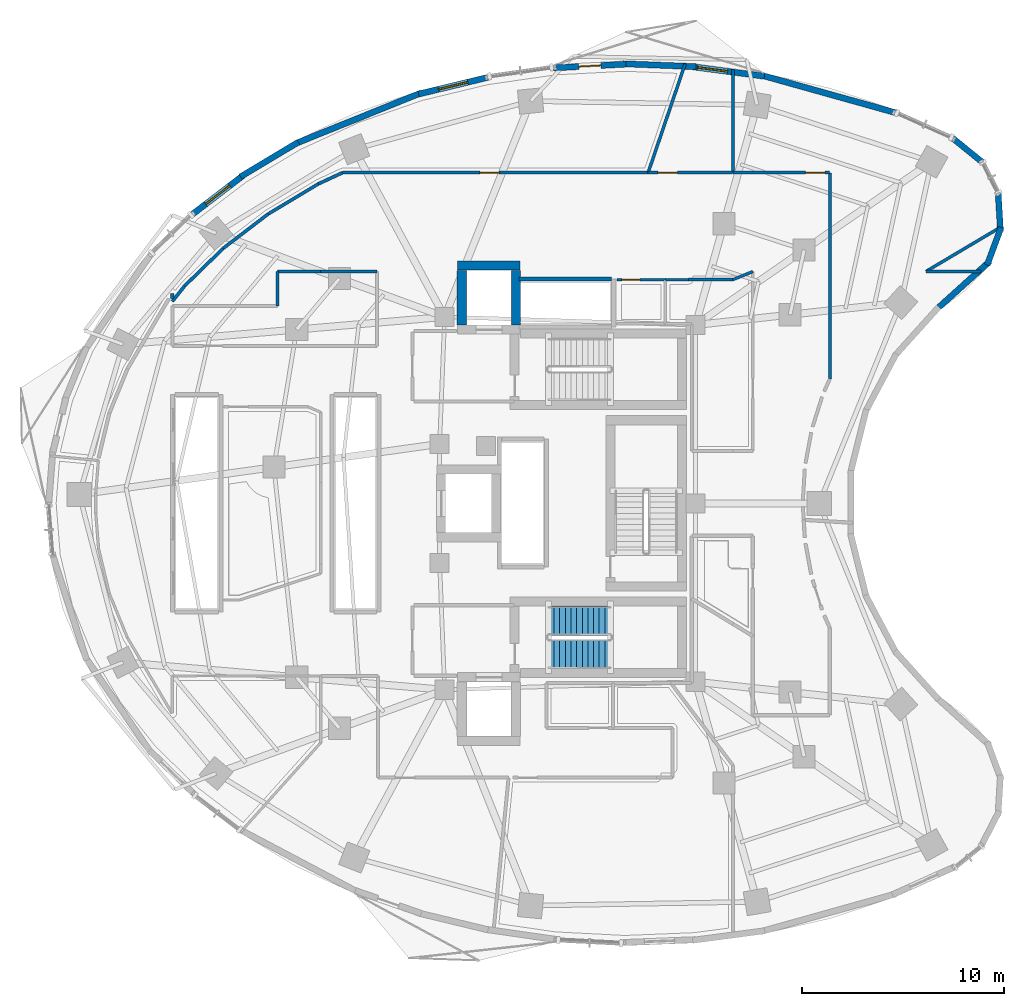
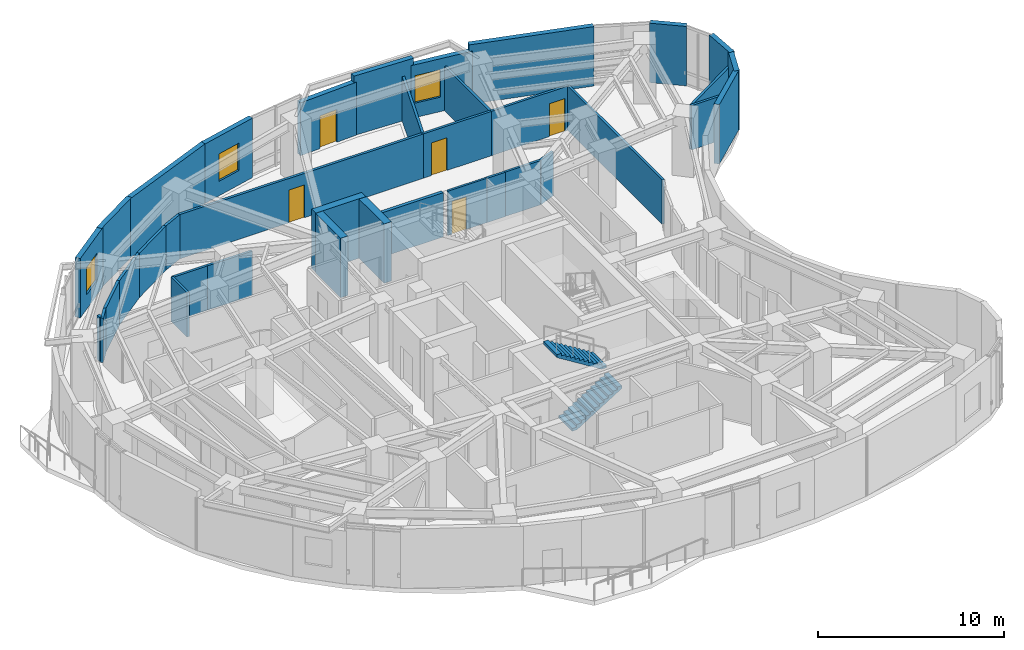
# One storey, part 11 of 15: 37 walls, 5 doors, 3 windows, 2 stair flights, 8 openings, 1 element without a shape of its own.
"""IFC4 building model written with IfcOpenShell, lengths in metres."""

from ifc_helpers import new_model, si_unit, direction, frame, frame_2d, origin, place, context, subcontext, project, spatial, polyline, rectangle, outline, extrude, material, layer, layer_set, type_object, element, fill, aggregate, save


model = new_model("IFC4")

# Units and contexts
model_context = context("Model", 3, precision=1e-05, world=origin(), true_north=direction((0.0, 1.0)))
body_context = subcontext(model_context, "Body", "Model", "MODEL_VIEW")
ifc_project = project(units=[si_unit("LENGTHUNIT", "METRE"), si_unit("AREAUNIT", "SQUARE_METRE"), si_unit("VOLUMEUNIT", "CUBIC_METRE"), si_unit("PLANEANGLEUNIT", "RADIAN"), si_unit("MASSUNIT", "GRAM", prefix="KILO")], contexts=[model_context])

# Site, building, storey
site_placement = place(None, origin())
site = spatial("IfcSite", under=ifc_project, at=site_placement, CompositionType="ELEMENT")
building_placement = place(site_placement, origin())
building = spatial("IfcBuilding", under=site, at=building_placement, Name="Korentha Bioscience Tower", CompositionType="ELEMENT")
storey_placement = place(building_placement, frame((0.0, 0.0, 94.199951171875)))
storey = spatial("IfcBuildingStorey", under=building, at=storey_placement, Name="L21", CompositionType="ELEMENT", Elevation=94.199951171875)

# Wall, opening, door
ifc_material_1 = material(Name="Double-Stud Acoustic Gypsum", Category="gypsum")
ifc_layer_1 = layer(ifc_material_1, 0.14990234375, Name="Double-Stud Acoustic Gypsum")
ifc_layer_set_1 = layer_set([ifc_layer_1], Name="Double-Stud Acoustic Gypsum (IW-L150)")
wall_type_1 = type_object("IfcWallType", Name="Acoustic Laboratory Partition Wall 150", PredefinedType="PARTITIONING", material=ifc_layer_set_1)
wall_1_placement = place(storey_placement, frame((44.199951171875, 43.409912109375, 0.0), z_axis=(0.0, 0.0, 1.0), x_axis=(-1.0, 0.0, 0.0)))
wall_1 = element("IfcWall", 1, at=wall_1_placement, inside=storey, type_object=wall_type_1, Name="L21 Immunology Flow-Cytometry Laboratory 06 Entrance Wall", PredefinedType="PARTITIONING", context=body_context, shape_type="SweptSolid", body=[
    extrude(rectangle(XDim=4.7978515625, YDim=0.14990234375, at=frame_2d((2.39892578125, 0.0))), origin(), (0.0, 0.0, 1.0), 2.91015625),
])
opening_1_placement = place(wall_1_placement, frame((0.239990234375, 0.0, 0.0)))
opening_1 = element("IfcOpeningElement", 2, at=opening_1_placement, cuts=wall_1, Name="Opening ID-10R", PredefinedType="OPENING", context=body_context, shape_type="SweptSolid", body=[
    extrude(rectangle(XDim=0.949951171875, YDim=2.14990234375, at=frame_2d((0.47509765625, 1.074951171875))), frame((0.0, 0.08984375, 0.0), z_axis=(0.0, -1.0, 0.0), x_axis=(1.0, 0.0, 0.0)), (0.0, 0.0, 1.0), 0.1796875),
])
ifc_material_2 = material(Name="Phenolic Laminate Timber Core", Category="wood")
door_type_1 = type_object("IfcDoorType", Name="Laboratory Single Leaf Door 950x2150 Right", OperationType="SINGLE_SWING_RIGHT", PredefinedType="DOOR", material=ifc_material_2)
door_1_placement = place(opening_1_placement, origin())
door_1 = element("IfcDoor", 3, at=door_1_placement, inside=storey, type_object=door_type_1, Name="L21 Immunology Flow-Cytometry Laboratory 06 Door", OperationType="SINGLE_SWING_RIGHT", OverallHeight=2.14990234375, OverallWidth=0.949951171875, PredefinedType="DOOR", context=body_context, shape_type="SweptSolid", body=[
    extrude(rectangle(XDim=0.949951171875, YDim=2.14990234375, at=frame_2d((0.47509765625, 1.074951171875))), frame((0.0, 0.02490234375, 0.0), z_axis=(0.0, -1.0, 0.0), x_axis=(1.0, 0.0, 0.0)), (0.0, 0.0, 1.0), 0.050048828125),
])
fill(opening_1, door_1)

wall_2_placement = place(storey_placement, frame((39.39208984375, 43.409912109375, 0.0), z_axis=(0.0, 0.0, 1.0), x_axis=(-1.0, 0.0, 0.0)))
wall_2 = element("IfcWall", 4, at=wall_2_placement, inside=storey, type_object=wall_type_1, Name="L21 Lyophilization Freeze-Drying Room 08 Entrance Wall", PredefinedType="PARTITIONING", context=body_context, shape_type="SweptSolid", body=[
    extrude(rectangle(XDim=4.19580078125, YDim=0.14990234375, at=frame_2d((2.097900390625, 0.0))), origin(), (0.0, 0.0, 1.0), 2.91015625),
])
opening_2_placement = place(wall_2_placement, frame((2.747802734375, 0.0, 0.0)))
opening_2 = element("IfcOpeningElement", 5, at=opening_2_placement, cuts=wall_2, Name="Opening ID-10R", PredefinedType="OPENING", context=body_context, shape_type="SweptSolid", body=[
    extrude(rectangle(XDim=0.949951171875, YDim=2.14990234375, at=frame_2d((0.47509765625, 1.074951171875))), frame((0.0, 0.08984375, 0.0), z_axis=(0.0, -1.0, 0.0), x_axis=(1.0, 0.0, 0.0)), (0.0, 0.0, 1.0), 0.1796875),
])
door_2_placement = place(opening_2_placement, origin())
door_2 = element("IfcDoor", 6, at=door_2_placement, inside=storey, type_object=door_type_1, Name="L21 Lyophilization Freeze-Drying Room 08 Door", OperationType="SINGLE_SWING_RIGHT", OverallHeight=2.14990234375, OverallWidth=0.949951171875, PredefinedType="DOOR", context=body_context, shape_type="SweptSolid", body=[
    extrude(rectangle(XDim=0.949951171875, YDim=2.14990234375, at=frame_2d((0.47509765625, 1.074951171875))), frame((0.0, 0.02490234375, 0.0), z_axis=(0.0, -1.0, 0.0), x_axis=(1.0, 0.0, 0.0)), (0.0, 0.0, 1.0), 0.050048828125),
])
fill(opening_2, door_2)

# Walls
wall_3_placement = place(storey_placement, frame((52.748779296875, 40.74267578125, 0.0), z_axis=(0.0, 0.0, 1.0), x_axis=(-0.85982416837, -0.510590246173, 0.0)))
element("IfcWall", 7, at=wall_3_placement, inside=storey, type_object=wall_type_1, Name="L21 Interior Partition 054", PredefinedType="PARTITIONING", context=body_context, shape_type="SweptSolid", body=[
    extrude(rectangle(XDim=4.3818359375, YDim=0.14990234375, at=frame_2d((2.19091796875, 0.0))), origin(), (0.0, 0.0, 1.0), 2.91015625),
])
wall_4_placement = place(storey_placement, frame((48.983154296875, 38.498046875, 0.0), z_axis=(0.0, 0.0, 1.0), x_axis=(1.0, 0.0, 0.0)))
element("IfcWall", 8, at=wall_4_placement, inside=storey, type_object=wall_type_1, Name="L21 Interior Partition 055", PredefinedType="PARTITIONING", context=body_context, shape_type="SweptSolid", body=[
    extrude(rectangle(XDim=2.718505859375, YDim=0.14990234375, at=frame_2d((1.359375, 0.0))), origin(), (0.0, 0.0, 1.0), 2.91015625),
])
wall_5_placement = place(storey_placement, frame((44.2099609375, 33.175048828125, 0.0), z_axis=(0.0, 0.0, 1.0), x_axis=(0.0, 1.0, 0.0)))
element("IfcWall", 9, at=wall_5_placement, inside=storey, type_object=wall_type_1, Name="L21 Interior Partition 061", PredefinedType="PARTITIONING", context=body_context, shape_type="SweptSolid", body=[
    extrude(rectangle(XDim=10.224853515625, YDim=0.14990234375, at=frame_2d((5.1123046875, 0.0))), origin(), (0.0, 0.0, 1.0), 2.91015625),
])
wall_6_placement = place(storey_placement, frame((39.402099609375, 43.409912109375, 0.0), z_axis=(0.0, 0.0, 1.0), x_axis=(0.0, 1.0, 0.0)))
element("IfcWall", 10, at=wall_6_placement, inside=storey, type_object=wall_type_1, Name="L21 Interior Partition 062", PredefinedType="PARTITIONING", context=body_context, shape_type="SweptSolid", body=[
    extrude(rectangle(XDim=5.12548828125, YDim=0.14990234375, at=frame_2d((2.562744140625, 0.0))), origin(), (0.0, 0.0, 1.0), 2.91015625),
])
wall_7_placement = place(storey_placement, frame((35.1962890625, 43.409912109375, 0.0), z_axis=(0.0, 0.0, 1.0), x_axis=(0.322244983046, 0.946656310866, 0.0)))
element("IfcWall", 11, at=wall_7_placement, inside=storey, type_object=wall_type_1, Name="L21 Interior Partition 071", PredefinedType="PARTITIONING", context=body_context, shape_type="SweptSolid", body=[
    extrude(rectangle(XDim=5.6904296875, YDim=0.14990234375, at=frame_2d((2.84521484375, 0.0))), origin(), (0.0, 0.0, 1.0), 2.91015625),
])
wall_8_placement = place(storey_placement, frame((18.9521484375, 38.498046875, 0.0), z_axis=(0.0, 0.0, 1.0), x_axis=(1.0, 0.0, 0.0)))
element("IfcWall", 12, at=wall_8_placement, inside=storey, type_object=wall_type_1, Name="L21 Interior Partition 081", PredefinedType="PARTITIONING", context=body_context, shape_type="SweptSolid", body=[
    extrude(rectangle(XDim=2.787841796875, YDim=0.14990234375, at=frame_2d((1.39404296875, 0.0))), origin(), (0.0, 0.0, 1.0), 2.91015625),
])
wall_9_placement = place(storey_placement, frame((16.81005859375, 36.800048828125, 0.0), z_axis=(0.0, 0.0, 1.0), x_axis=(0.0, 1.0, 0.0)))
element("IfcWall", 13, at=wall_9_placement, inside=storey, type_object=wall_type_1, Name="L21 Interior Partition 085", PredefinedType="PARTITIONING", context=body_context, shape_type="SweptSolid", body=[
    extrude(rectangle(XDim=1.697998046875, YDim=0.14990234375, at=frame_2d((0.84912109375, 0.0))), origin(), (0.0, 0.0, 1.0), 2.91015625),
])
wall_10_placement = place(storey_placement, frame((16.81005859375, 38.498046875, 0.0), z_axis=(0.0, 0.0, 1.0), x_axis=(1.0, 0.0, 0.0)))
element("IfcWall", 14, at=wall_10_placement, inside=storey, type_object=wall_type_1, Name="L21 Interior Partition 086", PredefinedType="PARTITIONING", context=body_context, shape_type="SweptSolid", body=[
    extrude(rectangle(XDim=2.137939453125, YDim=0.14990234375, at=frame_2d((1.06884765625, 0.0))), origin(), (0.0, 0.0, 1.0), 2.91015625),
])
ifc_material_3 = material(Name="Insulated Aluminium Honeycomb Panel", Category="aluminium")
ifc_layer_2 = layer(ifc_material_3, 0.139892578125, Name="Insulated Aluminium Honeycomb Panel")
ifc_layer_set_2 = layer_set([ifc_layer_2], Name="Insulated Aluminium Honeycomb Panel (IW-F60)")
wall_type_2 = type_object("IfcWallType", Name="Cleanroom Flush Metal Panel Partition 140", PredefinedType="PARTITIONING", material=ifc_layer_set_2)
wall_11_placement = place(storey_placement, frame((39.39794921875, 38.10009765625, 0.0), z_axis=(0.0, 0.0, 1.0), x_axis=(0.928098124006, 0.372335698284, 0.0)))
element("IfcWall", 15, at=wall_11_placement, inside=storey, type_object=wall_type_2, Name="L21 Interior Partition 063", PredefinedType="PARTITIONING", context=body_context, shape_type="SweptSolid", body=[
    extrude(rectangle(XDim=1.06884765625, YDim=0.139892578125, at=frame_2d((0.534423828125, 0.0))), origin(), (0.0, 0.0, 1.0), 2.91015625),
])
wall_12_placement = place(storey_placement, frame((36.06005859375, 38.090087890625, 0.0), z_axis=(0.0, 0.0, 1.0), x_axis=(1.0, 0.0, 0.0)))
element("IfcWall", 16, at=wall_12_placement, inside=storey, type_object=wall_type_2, Name="L21 Interior Partition 068", PredefinedType="PARTITIONING", context=body_context, shape_type="SweptSolid", body=[
    extrude(rectangle(XDim=1.139892578125, YDim=0.139892578125, at=frame_2d((0.56982421875, 0.0))), origin(), (0.0, 0.0, 1.0), 2.91015625),
])
wall_13_placement = place(storey_placement, frame((37.2099609375, 38.10009765625, 0.0), z_axis=(0.0, 0.0, 1.0), x_axis=(1.0, 0.0, 0.0)))
element("IfcWall", 17, at=wall_13_placement, inside=storey, type_object=wall_type_2, Name="L21 Interior Partition 070", PredefinedType="PARTITIONING", context=body_context, shape_type="SweptSolid", body=[
    extrude(rectangle(XDim=2.18798828125, YDim=0.139892578125, at=frame_2d((1.093994140625, 0.0))), origin(), (0.0, 0.0, 1.0), 2.91015625),
])

# Wall, opening, door
ifc_material_4 = material(Name="Gypsum-Clad Steel Stud", Category="steel")
ifc_layer_3 = layer(ifc_material_4, 0.159912109375, Name="Gypsum-Clad Steel Stud")
ifc_layer_set_3 = layer_set([ifc_layer_3], Name="Gypsum-Clad Steel Stud (IW-C160)")
wall_type_3 = type_object("IfcWallType", Name="Fire-Rated Corridor Partition Wall 160", PredefinedType="PARTITIONING", material=ifc_layer_set_3)
wall_14_placement = place(storey_placement, frame((35.186279296875, 43.409912109375, 0.0), z_axis=(0.0, 0.0, 1.0), x_axis=(-1.0, 0.0, 0.0)))
wall_14 = element("IfcWall", 18, at=wall_14_placement, inside=storey, type_object=wall_type_3, Name="L21 Cold-Chain Stability Chamber 09 Entrance Wall", PredefinedType="PARTITIONING", context=body_context, shape_type="SweptSolid", body=[
    extrude(rectangle(XDim=15.143798828125, YDim=0.159912109375, at=frame_2d((7.57177734375, 0.0))), origin(), (0.0, 0.0, 1.0), 2.91015625),
])
opening_3_placement = place(wall_14_placement, frame((7.38671875, 0.0, 0.0)))
opening_3 = element("IfcOpeningElement", 19, at=opening_3_placement, cuts=wall_14, Name="Opening ID-10L", PredefinedType="OPENING", context=body_context, shape_type="SweptSolid", body=[
    extrude(rectangle(XDim=0.949951171875, YDim=2.14990234375, at=frame_2d((0.47509765625, 1.074951171875))), frame((0.0, 0.0947265625, 0.0), z_axis=(0.0, -1.0, 0.0), x_axis=(1.0, 0.0, 0.0)), (0.0, 0.0, 1.0), 0.189697265625),
])
door_type_2 = type_object("IfcDoorType", Name="Laboratory Single Leaf Door 950x2150 Left", OperationType="SINGLE_SWING_LEFT", PredefinedType="DOOR", material=ifc_material_2)
door_3_placement = place(opening_3_placement, origin())
door_3 = element("IfcDoor", 20, at=door_3_placement, inside=storey, type_object=door_type_2, Name="L21 Cold-Chain Stability Chamber 09 Door", OperationType="SINGLE_SWING_LEFT", OverallHeight=2.14990234375, OverallWidth=0.949951171875, PredefinedType="DOOR", context=body_context, shape_type="SweptSolid", body=[
    extrude(rectangle(XDim=0.949951171875, YDim=2.14990234375, at=frame_2d((0.47509765625, 1.074951171875))), frame((0.0, 0.02490234375, 0.0), z_axis=(0.0, -1.0, 0.0), x_axis=(1.0, 0.0, 0.0)), (0.0, 0.0, 1.0), 0.050048828125),
])
fill(opening_3, door_3)

# Walls
wall_15_placement = place(storey_placement, frame((20.038330078125, 43.4091796875, 0.0), z_axis=(0.0, 0.0, 1.0), x_axis=(-0.907124862852, -0.420861596248, 0.0)))
element("IfcWall", 21, at=wall_15_placement, inside=storey, type_object=wall_type_3, Name="L21 Interior Partition 072", PredefinedType="PARTITIONING", context=body_context, shape_type="SweptSolid", body=[
    extrude(rectangle(XDim=1.321533203125, YDim=0.159912109375, at=frame_2d((0.66064453125, 0.0))), origin(), (0.0, 0.0, 1.0), 2.91015625),
])
wall_16_placement = place(storey_placement, frame((18.838623046875, 42.8525390625, 0.0), z_axis=(0.0, 0.0, 1.0), x_axis=(-0.857603806023, -0.514310909757, 0.0)))
element("IfcWall", 22, at=wall_16_placement, inside=storey, type_object=wall_type_3, Name="L21 Interior Partition 073", PredefinedType="PARTITIONING", context=body_context, shape_type="SweptSolid", body=[
    extrude(rectangle(XDim=2.91357421875, YDim=0.159912109375, at=frame_2d((1.456787109375, 0.0))), origin(), (0.0, 0.0, 1.0), 2.91015625),
])
wall_17_placement = place(storey_placement, frame((16.3388671875, 41.353515625, 0.0), z_axis=(0.0, 0.0, 1.0), x_axis=(-0.794513779695, -0.607246122981, 0.0)))
element("IfcWall", 23, at=wall_17_placement, inside=storey, type_object=wall_type_3, Name="L21 Interior Partition 074", PredefinedType="PARTITIONING", context=body_context, shape_type="SweptSolid", body=[
    extrude(rectangle(XDim=2.799072265625, YDim=0.159912109375, at=frame_2d((1.3994140625, 0.0))), origin(), (0.0, 0.0, 1.0), 2.91015625),
])
wall_18_placement = place(storey_placement, frame((14.1142578125, 39.65283203125, 0.0), z_axis=(0.0, 0.0, 1.0), x_axis=(-0.716161838398, -0.697934252794, 0.0)))
element("IfcWall", 24, at=wall_18_placement, inside=storey, type_object=wall_type_3, Name="L21 Interior Partition 075", PredefinedType="PARTITIONING", context=body_context, shape_type="SweptSolid", body=[
    extrude(rectangle(XDim=2.6787109375, YDim=0.159912109375, at=frame_2d((1.33935546875, 0.0))), origin(), (0.0, 0.0, 1.0), 2.91015625),
])
wall_19_placement = place(storey_placement, frame((12.195068359375, 37.781982421875, 0.0), z_axis=(0.0, 0.0, 1.0), x_axis=(-0.621081637991, -0.783745876513, 0.0)))
element("IfcWall", 25, at=wall_19_placement, inside=storey, type_object=wall_type_3, Name="L21 Interior Partition 076", PredefinedType="PARTITIONING", context=body_context, shape_type="SweptSolid", body=[
    extrude(rectangle(XDim=0.97412109375, YDim=0.159912109375, at=frame_2d((0.487060546875, 0.0))), origin(), (0.0, 0.0, 1.0), 2.91015625),
])
wall_20_placement = place(storey_placement, frame((11.590087890625, 37.152099609375, 0.0), z_axis=(0.0, 0.0, 1.0), x_axis=(0.0, 1.0, 0.0)))
element("IfcWall", 26, at=wall_20_placement, inside=storey, type_object=wall_type_3, Name="L21 Interior Partition 077", PredefinedType="PARTITIONING", context=body_context, shape_type="SweptSolid", body=[
    extrude(rectangle(XDim=0.255859375, YDim=0.159912109375, at=frame_2d((0.1279296875, 0.0))), origin(), (0.0, 0.0, 1.0), 2.91015625),
])

# Wall, opening, window
ifc_material_5 = material(Name="Honed Limestone Precast Concrete C40", Category="masonry")
ifc_layer_4 = layer(ifc_material_5, 0.300048828125, Name="Honed Limestone Precast Concrete C40")
ifc_layer_set_4 = layer_set([ifc_layer_4], Name="Honed Limestone Precast Concrete C40 (EW-ST300)")
wall_type_4 = type_object("IfcWallType", Name="Honed Limestone Cavity Spandrel Wall 300", PredefinedType="STANDARD", material=ifc_layer_set_4)
wall_21_placement = place(storey_placement, frame((40.964111328125, 48.18994140625, 0.0), z_axis=(0.0, 0.0, 1.0), x_axis=(-0.991369257822, 0.131099178664, 0.0)))
wall_21 = element("IfcWall", 27, at=wall_21_placement, inside=storey, type_object=wall_type_4, Name="L21 Honed Limestone Spandrel Wall 04", PredefinedType="STANDARD", context=body_context, shape_type="SweptSolid", body=[
    extrude(rectangle(XDim=3.575439453125, YDim=0.300048828125, at=frame_2d((1.78759765625, 0.0))), origin(), (0.0, 0.0, 1.0), 3.469970703125),
])
opening_4_placement = place(wall_21_placement, frame((1.84814453125, 0.0, 0.949951171875)))
opening_4 = element("IfcOpeningElement", 28, at=opening_4_placement, cuts=wall_21, Name="Opening WN-02", PredefinedType="OPENING", context=body_context, shape_type="SweptSolid", body=[
    extrude(rectangle(XDim=1.5, YDim=1.800048828125, at=frame_2d((0.75, 0.89990234375))), frame((0.0, 0.1650390625, 0.0), z_axis=(0.0, -1.0, 0.0), x_axis=(1.0, 0.0, 0.0)), (0.0, 0.0, 1.0), 0.329833984375),
])
ifc_material_6 = material(Name="Thermally Broken Aluminium Triple Glazing", Category="aluminium")
window_type = type_object("IfcWindowType", Name="Acoustic Operable Office Window 1500x1800", PartitioningType="DOUBLE_PANEL_VERTICAL", PredefinedType="WINDOW", material=ifc_material_6)
window_1_placement = place(opening_4_placement, origin())
window_1 = element("IfcWindow", 29, at=window_1_placement, inside=storey, type_object=window_type, Name="L21 Facade Window 04", OverallHeight=1.800048828125, OverallWidth=1.5, PartitioningType="DOUBLE_PANEL_VERTICAL", PredefinedType="WINDOW", context=body_context, shape_type="SweptSolid", body=[
    extrude(rectangle(XDim=1.5, YDim=1.800048828125, at=frame_2d((0.75, 0.89990234375))), frame((0.0, 0.030029296875, 0.0), z_axis=(0.0, -1.0, 0.0), x_axis=(1.0, 0.0, 0.0)), (0.0, 0.0, 1.0), 0.06005859375),
])
fill(opening_4, window_1)

# Wall, opening, door
wall_22_placement = place(storey_placement, frame((34.095703125, 48.79052734375, 0.0), z_axis=(0.0, 0.0, 1.0), x_axis=(-0.998676861232, -0.051424963197, 0.0)))
wall_22 = element("IfcWall", 30, at=wall_22_placement, inside=storey, type_object=wall_type_4, Name="L21 Balcony Threshold Wall 01", PredefinedType="STANDARD", context=body_context, shape_type="SweptSolid", body=[
    extrude(rectangle(XDim=3.59375, YDim=0.300048828125, at=frame_2d((1.796875, 0.0))), origin(), (0.0, 0.0, 1.0), 3.469970703125),
])
opening_5_placement = place(wall_22_placement, frame((1.246826171875, 0.0, 0.0)))
opening_5 = element("IfcOpeningElement", 31, at=opening_5_placement, cuts=wall_22, Name="Opening BD-11L", PredefinedType="OPENING", context=body_context, shape_type="SweptSolid", body=[
    extrude(rectangle(XDim=1.10009765625, YDim=2.14990234375, at=frame_2d((0.550048828125, 1.074951171875))), frame((0.0, 0.1650390625, 0.0), z_axis=(0.0, -1.0, 0.0), x_axis=(1.0, 0.0, 0.0)), (0.0, 0.0, 1.0), 0.329833984375),
])
ifc_material_7 = material(Name="Thermally Broken Glazed Aluminium", Category="aluminium")
door_type_3 = type_object("IfcDoorType", Name="Balcony Terrace Glazed Door 1100x2150 Left", OperationType="SINGLE_SWING_LEFT", PredefinedType="DOOR", material=ifc_material_7)
door_4_placement = place(opening_5_placement, origin())
door_4 = element("IfcDoor", 32, at=door_4_placement, inside=storey, type_object=door_type_3, Name="L21 Balcony Access Door 01", OperationType="SINGLE_SWING_LEFT", OverallHeight=2.14990234375, OverallWidth=1.10009765625, PredefinedType="DOOR", context=body_context, shape_type="SweptSolid", body=[
    extrude(rectangle(XDim=1.10009765625, YDim=2.14990234375, at=frame_2d((0.550048828125, 1.074951171875))), frame((0.0, 0.02490234375, 0.0), z_axis=(0.0, -1.0, 0.0), x_axis=(1.0, 0.0, 0.0)), (0.0, 0.0, 1.0), 0.050048828125),
])
fill(opening_5, door_4)

# Wall, opening, window
wall_23_placement = place(storey_placement, frame((27.23828125, 48.1337890625, 0.0), z_axis=(0.0, 0.0, 1.0), x_axis=(-0.972049000874, -0.234778065203, 0.0)))
wall_23 = element("IfcWall", 33, at=wall_23_placement, inside=storey, type_object=wall_type_4, Name="L21 Honed Limestone Spandrel Wall 08", PredefinedType="STANDARD", context=body_context, shape_type="SweptSolid", body=[
    extrude(rectangle(XDim=3.5283203125, YDim=0.300048828125, at=frame_2d((1.76416015625, 0.0))), origin(), (0.0, 0.0, 1.0), 3.900146484375),
])
opening_6_placement = place(wall_23_placement, frame((1.014404296875, 0.0, 0.949951171875)))
opening_6 = element("IfcOpeningElement", 34, at=opening_6_placement, cuts=wall_23, Name="Opening WN-02", PredefinedType="OPENING", context=body_context, shape_type="SweptSolid", body=[
    extrude(rectangle(XDim=1.5, YDim=1.800048828125, at=frame_2d((0.75, 0.89990234375))), frame((0.0, 0.1650390625, 0.0), z_axis=(0.0, -1.0, 0.0), x_axis=(1.0, 0.0, 0.0)), (0.0, 0.0, 1.0), 0.329833984375),
])
window_2_placement = place(opening_6_placement, origin())
window_2 = element("IfcWindow", 35, at=window_2_placement, inside=storey, type_object=window_type, Name="L21 Facade Window 08", OverallHeight=1.800048828125, OverallWidth=1.5, PartitioningType="DOUBLE_PANEL_VERTICAL", PredefinedType="WINDOW", context=body_context, shape_type="SweptSolid", body=[
    extrude(rectangle(XDim=1.5, YDim=1.800048828125, at=frame_2d((0.75, 0.89990234375))), frame((0.0, 0.030029296875, 0.0), z_axis=(0.0, -1.0, 0.0), x_axis=(1.0, 0.0, 0.0)), (0.0, 0.0, 1.0), 0.06005859375),
])
fill(opening_6, window_2)

wall_24_placement = place(storey_placement, frame((15.1171875, 43.276611328125, 0.0), z_axis=(0.0, 0.0, 1.0), x_axis=(-0.794524406211, -0.607232219119, 0.0)))
wall_24 = element("IfcWall", 36, at=wall_24_placement, inside=storey, type_object=wall_type_4, Name="L21 Honed Limestone Spandrel Wall 12", PredefinedType="STANDARD", context=body_context, shape_type="SweptSolid", body=[
    extrude(rectangle(XDim=3.202880859375, YDim=0.300048828125, at=frame_2d((1.6015625, 0.0))), origin(), (0.0, 0.0, 1.0), 3.900146484375),
])
opening_7_placement = place(wall_24_placement, frame((0.851318359375, 0.0, 0.949951171875)))
opening_7 = element("IfcOpeningElement", 37, at=opening_7_placement, cuts=wall_24, Name="Opening WN-02", PredefinedType="OPENING", context=body_context, shape_type="SweptSolid", body=[
    extrude(rectangle(XDim=1.5, YDim=1.800048828125, at=frame_2d((0.75, 0.89990234375))), frame((0.0, 0.1650390625, 0.0), z_axis=(0.0, -1.0, 0.0), x_axis=(1.0, 0.0, 0.0)), (0.0, 0.0, 1.0), 0.329833984375),
])
window_3_placement = place(opening_7_placement, origin())
window_3 = element("IfcWindow", 38, at=window_3_placement, inside=storey, type_object=window_type, Name="L21 Facade Window 12", OverallHeight=1.800048828125, OverallWidth=1.5, PartitioningType="DOUBLE_PANEL_VERTICAL", PredefinedType="WINDOW", context=body_context, shape_type="SweptSolid", body=[
    extrude(rectangle(XDim=1.5, YDim=1.800048828125, at=frame_2d((0.75, 0.89990234375))), frame((0.0, 0.030029296875, 0.0), z_axis=(0.0, -1.0, 0.0), x_axis=(1.0, 0.0, 0.0)), (0.0, 0.0, 1.0), 0.06005859375),
])
fill(opening_7, window_3)

# Walls
wall_25_placement = place(storey_placement, frame((47.47900390625, 46.380126953125, 0.0), z_axis=(0.0, 0.0, 1.0), x_axis=(-0.963116215402, 0.269085777459, 0.0)))
element("IfcWall", 39, at=wall_25_placement, inside=storey, type_object=wall_type_4, Name="L21 Limestone Perimeter Closure Wall 02", PredefinedType="STANDARD", context=body_context, shape_type="SweptSolid", body=[
    extrude(rectangle(XDim=6.923583984375, YDim=0.300048828125, at=frame_2d((3.4619140625, 0.0))), origin(), (0.0, 0.0, 1.0), 3.900146484375),
])
wall_26_placement = place(storey_placement, frame((37.574462890625, 48.666259765625, 0.0), z_axis=(0.0, 0.0, 1.0), x_axis=(-0.999212076676, 0.039689114679, 0.0)))
element("IfcWall", 40, at=wall_26_placement, inside=storey, type_object=wall_type_4, Name="L21 Limestone Perimeter Closure Wall 05", PredefinedType="STANDARD", context=body_context, shape_type="SweptSolid", body=[
    extrude(rectangle(XDim=3.635498046875, YDim=0.300048828125, at=frame_2d((1.81787109375, 0.0))), origin(), (0.0, 0.0, 1.0), 3.900146484375),
])
wall_27_placement = place(storey_placement, frame((23.955810546875, 47.375, 0.0), z_axis=(0.0, 0.0, 1.0), x_axis=(-0.927423312416, -0.374013368194, 0.0)))
element("IfcWall", 41, at=wall_27_placement, inside=storey, type_object=wall_type_4, Name="L21 Limestone Perimeter Closure Wall 09", PredefinedType="STANDARD", context=body_context, shape_type="SweptSolid", body=[
    extrude(rectangle(XDim=6.76904296875, YDim=0.300048828125, at=frame_2d((3.384521484375, 0.0))), origin(), (0.0, 0.0, 1.0), 3.900146484375),
])
wall_28_placement = place(storey_placement, frame((17.84033203125, 44.92431640625, 0.0), z_axis=(0.0, 0.0, 1.0), x_axis=(-0.857602536704, -0.514313026316, 0.0)))
element("IfcWall", 42, at=wall_28_placement, inside=storey, type_object=wall_type_4, Name="L21 Limestone Perimeter Closure Wall 11", PredefinedType="STANDARD", context=body_context, shape_type="SweptSolid", body=[
    extrude(rectangle(XDim=3.34033203125, YDim=0.300048828125, at=frame_2d((1.670166015625, 0.0))), origin(), (0.0, 0.0, 1.0), 3.900146484375),
])
wall_29_placement = place(storey_placement, frame((49.51318359375, 36.6357421875, 0.0), z_axis=(0.0, 0.0, 1.0), x_axis=(0.74255963233, 0.669779958221, 0.0)))
element("IfcWall", 43, at=wall_29_placement, inside=storey, type_object=wall_type_4, Name="L21 Limestone Perimeter Closure Wall 57", PredefinedType="STANDARD", context=body_context, shape_type="SweptSolid", body=[
    extrude(rectangle(XDim=3.5390625, YDim=0.300048828125, at=frame_2d((1.76953125, 0.0))), origin(), (0.0, 0.0, 1.0), 3.900146484375),
])
wall_30_placement = place(storey_placement, frame((52.016357421875, 38.822265625, 0.0), z_axis=(0.0, 0.0, 1.0), x_axis=(0.347370087337, 0.937728117539, 0.0)))
element("IfcWall", 44, at=wall_30_placement, inside=storey, type_object=wall_type_4, Name="L21 Limestone Perimeter Closure Wall 59", PredefinedType="STANDARD", context=body_context, shape_type="SweptSolid", body=[
    extrude(rectangle(XDim=1.997314453125, YDim=0.300048828125, at=frame_2d((0.99853515625, 0.0))), origin(), (0.0, 0.0, 1.0), 3.900146484375),
])
for number, where, z_axis, x_axis, name in (
    (45, (52.678955078125, 40.4833984375, 0.0), (0.0, 0.0, 1.0), (-0.060255200356, 0.998183004679, 0.0), "L21 Limestone Perimeter Closure Wall 60"),
    (46, (51.83642578125, 43.880615234375, 0.0), (0.0, 0.0, 1.0), (-0.777338789647, 0.629082193445, 0.0), "L21 Limestone Perimeter Closure Wall 62"),
):
    element("IfcWall", number, at=place(storey_placement, frame(where, z_axis=z_axis, x_axis=x_axis)), inside=storey, type_object=wall_type_4, Name=name, PredefinedType="STANDARD", context=body_context, shape_type="SweptSolid", body=[
        extrude(rectangle(XDim=1.99755859375, YDim=0.300048828125, at=frame_2d((0.998779296875, 0.0))), origin(), (0.0, 0.0, 1.0), 3.900146484375),
    ])
ifc_material_8 = material(Name="Autoclaved Aerated Concrete Block C25", Category="concrete")
ifc_layer_5 = layer(ifc_material_8, 0.199951171875, Name="Autoclaved Aerated Concrete Block C25")
ifc_layer_set_5 = layer_set([ifc_layer_5], Name="Autoclaved Aerated Concrete Block C25 (IW-S200)")
wall_type_5 = type_object("IfcWallType", Name="Lift and Riser Shaft Enclosure Wall 200", PredefinedType="PARTITIONING", material=ifc_layer_set_5)
wall_31_placement = place(storey_placement, frame((28.800048828125, 38.139892578125, 0.0), z_axis=(0.0, 0.0, 1.0), x_axis=(1.0, 0.0, 0.0)))
element("IfcWall", 47, at=wall_31_placement, inside=storey, type_object=wall_type_5, Name="L21 Lift Bank OBS Shaft Wall +Y", PredefinedType="PARTITIONING", context=body_context, shape_type="SweptSolid", body=[
    extrude(rectangle(XDim=4.570068359375, YDim=0.199951171875, at=frame_2d((2.28515625, 0.0))), origin(), (0.0, 0.0, 1.0), 2.91015625),
])
ifc_material_9 = material(Name="Concrete C80", Category="concrete")
ifc_layer_6 = layer(ifc_material_9, 0.449951171875, Name="Concrete C80")
ifc_layer_set_6 = layer_set([ifc_layer_6], Name="Concrete C80 (CW-C80)")
wall_type_6 = type_object("IfcWallType", Name="Lower Core Shear Wall 450", PredefinedType="SHEAR", material=ifc_layer_set_6)
wall_32_placement = place(storey_placement, frame((25.75, 38.800048828125, 0.0), z_axis=(0.0, 0.0, 1.0), x_axis=(1.0, 0.0, 0.0)))
element("IfcWall", 48, at=wall_32_placement, inside=storey, type_object=wall_type_6, Name="L21 Core Shear Wall FFL2-N", PredefinedType="SHEAR", context=body_context, shape_type="SweptSolid", body=[
    extrude(rectangle(XDim=3.10009765625, YDim=0.449951171875, at=frame_2d((1.550048828125, 0.0))), origin(), (0.0, 0.0, 1.0), 3.900146484375),
])
for number, where, z_axis, x_axis, name in (
    (49, (25.949951171875, 35.860107421875, 0.0), (0.0, 0.0, 1.0), (0.0, 1.0, 0.0), "L21 Core Shear Wall FFL2-W"),
    (50, (28.64990234375, 35.860107421875, 0.0), (0.0, 0.0, 1.0), (0.0, 1.0, 0.0), "L21 Core Shear Wall FFL2-E"),
):
    element("IfcWall", number, at=place(storey_placement, frame(where, z_axis=z_axis, x_axis=x_axis)), inside=storey, type_object=wall_type_6, Name=name, PredefinedType="SHEAR", context=body_context, shape_type="SweptSolid", body=[
        extrude(rectangle(XDim=2.699951171875, YDim=0.449951171875, at=frame_2d((1.35009765625, 0.0))), origin(), (0.0, 0.0, 1.0), 3.900146484375),
    ])

# Wall, opening, door
ifc_material_10 = material(Name="Cement-Board Steel Stud", Category="steel")
ifc_layer_7 = layer(ifc_material_10, 0.1298828125, Name="Cement-Board Steel Stud")
ifc_layer_set_7 = layer_set([ifc_layer_7], Name="Cement-Board Steel Stud (IW-W130)")
wall_type_7 = type_object("IfcWallType", Name="Wet-Area Moisture-Resistant Partition 130", PredefinedType="PARTITIONING", material=ifc_layer_set_7)
wall_33_placement = place(storey_placement, frame((33.64990234375, 38.090087890625, 0.0), z_axis=(0.0, 0.0, 1.0), x_axis=(1.0, 0.0, 0.0)))
wall_33 = element("IfcWall", 51, at=wall_33_placement, inside=storey, type_object=wall_type_7, Name="L21 Accessible Staff WC Entrance Wall", PredefinedType="PARTITIONING", context=body_context, shape_type="SweptSolid", body=[
    extrude(rectangle(XDim=2.400146484375, YDim=0.1298828125, at=frame_2d((1.2001953125, 0.0))), origin(), (0.0, 0.0, 1.0), 2.91015625),
])
opening_8_placement = place(wall_33_placement, frame((0.239990234375, 0.0, 0.0)))
opening_8 = element("IfcOpeningElement", 52, at=opening_8_placement, cuts=wall_33, Name="Opening ID-09R", PredefinedType="OPENING", context=body_context, shape_type="SweptSolid", body=[
    extrude(rectangle(XDim=0.89990234375, YDim=2.14990234375, at=frame_2d((0.449951171875, 1.074951171875))), frame((0.0, 0.079833984375, 0.0), z_axis=(0.0, -1.0, 0.0), x_axis=(1.0, 0.0, 0.0)), (0.0, 0.0, 1.0), 0.15966796875),
])
ifc_material_11 = material(Name="Moisture-Resistant HPL Leaf", Category="wood")
door_type_4 = type_object("IfcDoorType", Name="Restroom & Accessible WC Door 900x2150 Right", OperationType="SINGLE_SWING_RIGHT", PredefinedType="DOOR", material=ifc_material_11)
door_5_placement = place(opening_8_placement, origin())
door_5 = element("IfcDoor", 53, at=door_5_placement, inside=storey, type_object=door_type_4, Name="L21 Accessible Staff WC Door", OperationType="SINGLE_SWING_RIGHT", OverallHeight=2.14990234375, OverallWidth=0.89990234375, PredefinedType="DOOR", context=body_context, shape_type="SweptSolid", body=[
    extrude(rectangle(XDim=0.89990234375, YDim=2.14990234375, at=frame_2d((0.449951171875, 1.074951171875))), frame((0.0, 0.02490234375, 0.0), z_axis=(0.0, -1.0, 0.0), x_axis=(1.0, 0.0, 0.0)), (0.0, 0.0, 1.0), 0.050048828125),
])
fill(opening_8, door_5)

# Stair, stair flights
ifc_material_12 = material(Name="Precast Concrete C50", Category="concrete")
stair_type = type_object("IfcStairType", Name="Core Exit Dog-Leg Stair 1450", PredefinedType="HALF_TURN_STAIR", material=ifc_material_12)
stair_placement = place(storey_placement, origin())
stair = element("IfcStair", 54, at=stair_placement, inside=storey, type_object=stair_type, Name="L21 Tower South Pressurized Exit Stair ST-2", PredefinedType="HALF_TURN_STAIR")
stair_flight_type = type_object("IfcStairFlightType", Name="Core Exit Dog-Leg Stair 1450 Flight", PredefinedType="STRAIGHT", material=ifc_material_12)
stair_flight_1_placement = place(storey_placement, frame((30.25, 19.52490234375, 0.0), z_axis=(0.0, 0.0, 1.0), x_axis=(1.0, 0.0, 0.0)))
stair_flight_1 = element("IfcStairFlight", 55, at=stair_flight_1_placement, type_object=stair_flight_type, Name="ST-2 flight 1", NumberOfRisers=12, NumberOfTreads=11, PredefinedType="STRAIGHT", RiserHeight=0.175, TreadLength=0.28, context=body_context, shape_type="SweptSolid", body=[
    extrude(outline(polyline([(0.0, 0.0), (0.0, 0.175048828125), (0.280029296875, 0.175048828125), (0.280029296875, 0.35009765625), (0.56005859375, 0.35009765625), (0.56005859375, 0.52490234375), (0.840087890625, 0.52490234375), (0.840087890625, 0.699951171875), (1.1201171875, 0.699951171875), (1.1201171875, 0.875), (1.39990234375, 0.875), (1.39990234375, 1.050048828125), (1.679931640625, 1.050048828125), (1.679931640625, 1.22509765625), (1.9599609375, 1.22509765625), (1.9599609375, 1.39990234375), (2.239990234375, 1.39990234375), (2.239990234375, 1.574951171875), (2.52001953125, 1.574951171875), (2.52001953125, 1.75), (2.800048828125, 1.75), (2.800048828125, 1.925048828125), (3.080078125, 1.925048828125), (3.080078125, 2.10009765625), (3.080078125, 1.736328125), (0.3017578125, 0.0), (0.0, 0.0)])), frame((0.0, 0.72509765625, 0.0), z_axis=(0.0, -1.0, 0.0), x_axis=(1.0, 0.0, 0.0)), (0.0, 0.0, 1.0), 1.449951171875),
])
stair_flight_2_placement = place(storey_placement, frame((33.330078125, 21.175048828125, 2.10009765625), z_axis=(0.0, 0.0, 1.0), x_axis=(-1.0, 0.0, 0.0)))
stair_flight_2 = element("IfcStairFlight", 56, at=stair_flight_2_placement, type_object=stair_flight_type, Name="ST-2 flight 2", NumberOfRisers=12, NumberOfTreads=11, PredefinedType="STRAIGHT", RiserHeight=0.175, TreadLength=0.28, context=body_context, shape_type="SweptSolid", body=[
    extrude(outline(polyline([(0.0, 0.0), (0.0, 0.175048828125), (0.280029296875, 0.175048828125), (0.280029296875, 0.35009765625), (0.56005859375, 0.35009765625), (0.56005859375, 0.52490234375), (0.840087890625, 0.52490234375), (0.840087890625, 0.699951171875), (1.1201171875, 0.699951171875), (1.1201171875, 0.875), (1.39990234375, 0.875), (1.39990234375, 1.050048828125), (1.679931640625, 1.050048828125), (1.679931640625, 1.22509765625), (1.9599609375, 1.22509765625), (1.9599609375, 1.39990234375), (2.239990234375, 1.39990234375), (2.239990234375, 1.574951171875), (2.52001953125, 1.574951171875), (2.52001953125, 1.75), (2.800048828125, 1.75), (2.800048828125, 1.925048828125), (3.080078125, 1.925048828125), (3.080078125, 2.10009765625), (3.080078125, 1.736328125), (0.3017578125, 0.0), (0.0, 0.0)])), frame((0.0, 0.72509765625, 0.0), z_axis=(0.0, -1.0, 0.0), x_axis=(1.0, 0.0, 0.0)), (0.0, 0.0, 1.0), 1.449951171875),
])
aggregate(stair, [stair_flight_1, stair_flight_2])

save(model, "model.ifc")
